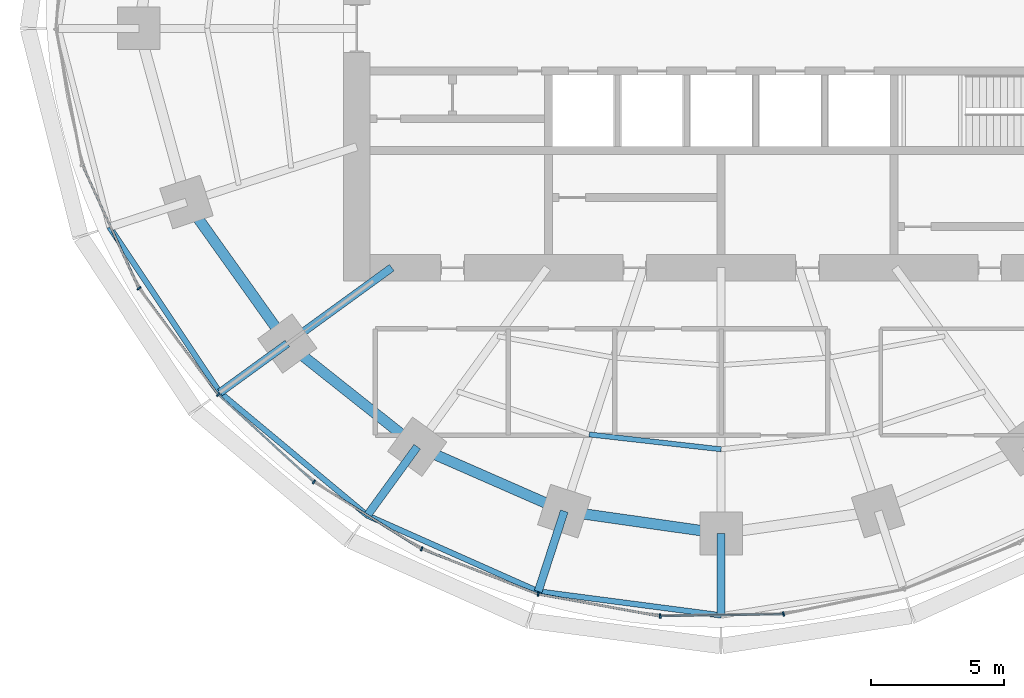
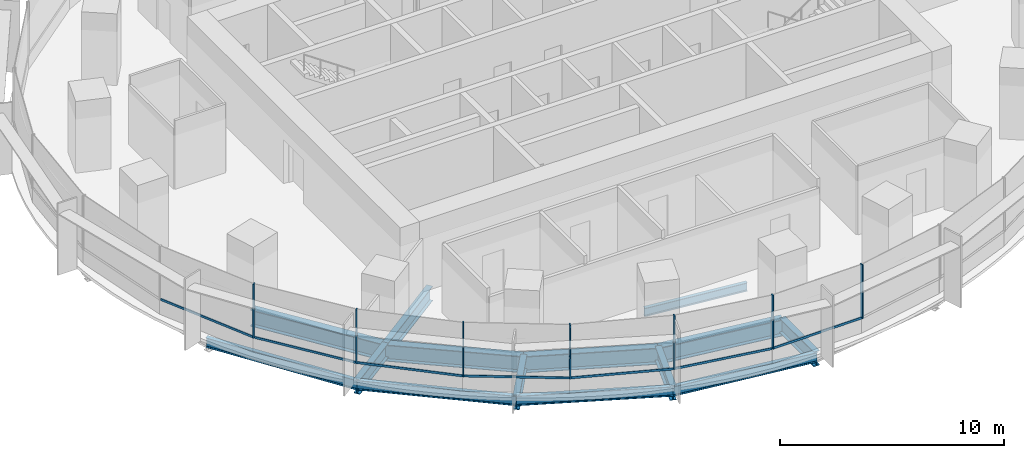
# One storey, part 2 of 14: 14 beams, 14 members, 2 elements without a shape of their own.
"""IFC4 building model written with IfcOpenShell, lengths in metres."""

from ifc_helpers import new_model, si_unit, direction, frame, origin, origin_2d, place, context, subcontext, project, spatial, rectangle, i_section, extrude, material, material_profile, profile_set, type_object, element, aggregate, save


model = new_model("IFC4")

# Units and contexts
model_context = context("Model", 3, precision=1e-05, world=origin(), true_north=direction((0.0, 1.0)))
body_context = subcontext(model_context, "Body", "Model", "MODEL_VIEW")
ifc_project = project(units=[si_unit("LENGTHUNIT", "METRE"), si_unit("AREAUNIT", "SQUARE_METRE"), si_unit("VOLUMEUNIT", "CUBIC_METRE"), si_unit("PLANEANGLEUNIT", "RADIAN"), si_unit("MASSUNIT", "GRAM", prefix="KILO")], contexts=[model_context])

# Site, building, storey
site_placement = place(None, origin())
site = spatial("IfcSite", under=ifc_project, at=site_placement, CompositionType="ELEMENT")
building_placement = place(site_placement, origin())
building = spatial("IfcBuilding", under=site, at=building_placement, Name="Marramba Exchange Tower", CompositionType="ELEMENT")
storey_placement = place(building_placement, frame((0.0, 0.0, 135.300048828125)))
storey = spatial("IfcBuildingStorey", under=building, at=storey_placement, Name="L32", CompositionType="ELEMENT", Elevation=135.300048828125)

# Beams
ifc_material_1 = material(Name="Steel AS/NZS 3679.2 grade 300", Category="steel")
ifc_material_profile_1 = material_profile(ifc_material_1, i_section(OverallWidth=0.300048828125, OverallDepth=0.800048828125, WebThickness=0.013916015625, FlangeThickness=0.031982421875, at=origin_2d()), Name="800WB192")
ifc_profile_set_1 = profile_set([ifc_material_profile_1], Name="Steel AS/NZS 3679.2 grade 300")
beam_type_1 = type_object("IfcBeamType", Name="Cantilever girder 800WB192", PredefinedType="BEAM", material=ifc_profile_set_1)
beam_1_placement = place(storey_placement, frame((-16.3154296875, -11.853759765625, -0.56005859375), z_axis=(-0.809025813822, -0.587773113173, 0.0), x_axis=(0.587773113173, -0.809025813822, 0.0)))
element("IfcBeam", 1, at=beam_1_placement, inside=storey, type_object=beam_type_1, Name="Cantilever girder L32 TC13", PredefinedType="BEAM", context=body_context, shape_type="SweptSolid", body=[
    extrude(i_section(OverallWidth=0.300048828125, OverallDepth=0.800048828125, WebThickness=0.013916015625, FlangeThickness=0.031982421875, at=origin_2d()), origin(), (0.0, 0.0, 1.0), 3.132568359375),
])
beam_2_placement = place(storey_placement, frame((-11.430419921875, -15.732666015625, -0.56005859375), z_axis=(-0.587767308424, -0.809030031054, 0.0), x_axis=(0.809030031054, -0.587767308424, 0.0)))
element("IfcBeam", 2, at=beam_2_placement, inside=storey, type_object=beam_type_1, Name="Cantilever girder L32 TC14", PredefinedType="BEAM", context=body_context, shape_type="SweptSolid", body=[
    extrude(i_section(OverallWidth=0.300048828125, OverallDepth=0.800048828125, WebThickness=0.013916015625, FlangeThickness=0.031982421875, at=origin_2d()), origin(), (0.0, 0.0, 1.0), 3.195556640625),
])
beam_3_placement = place(storey_placement, frame((-5.899658203125, -18.156982421875, -0.56005859375), z_axis=(-0.309018232614, -0.951056113966, 0.0), x_axis=(0.951056113966, -0.309018232614, 0.0)))
element("IfcBeam", 3, at=beam_3_placement, inside=storey, type_object=beam_type_1, Name="Cantilever girder L32 TC15", PredefinedType="BEAM", context=body_context, shape_type="SweptSolid", body=[
    extrude(i_section(OverallWidth=0.300048828125, OverallDepth=0.800048828125, WebThickness=0.013916015625, FlangeThickness=0.031982421875, at=origin_2d()), origin(), (0.0, 0.0, 1.0), 3.173583984375),
])
beam_4_placement = place(storey_placement, frame((0.0, -18.99609375, -0.56005859375), z_axis=(0.0, -1.0, 0.0), x_axis=(1.0, 0.0, 0.0)))
element("IfcBeam", 4, at=beam_4_placement, inside=storey, type_object=beam_type_1, Name="Cantilever girder L32 TC16", PredefinedType="BEAM", context=body_context, shape_type="SweptSolid", body=[
    extrude(i_section(OverallWidth=0.300048828125, OverallDepth=0.800048828125, WebThickness=0.013916015625, FlangeThickness=0.031982421875, at=origin_2d()), origin(), (0.0, 0.0, 1.0), 3.080810546875),
])
ifc_material_2 = material(Name="Steel AS/NZS 3679.1 grade 300", Category="steel")
ifc_material_profile_2 = material_profile(ifc_material_2, i_section(OverallWidth=0.18994140625, OverallDepth=0.4541015625, WebThickness=0.008544921875, FlangeThickness=0.0126953125, FilletRadius=0.011474609375, at=origin_2d()), Name="460UB67.1")
ifc_profile_set_2 = profile_set([ifc_material_profile_2], Name="Steel AS/NZS 3679.1 grade 300")
beam_type_2 = type_object("IfcBeamType", Name="Floor joist 460UB67.1", PredefinedType="JOIST", material=ifc_profile_set_2)
beam_5_placement = place(storey_placement, frame((-4.9619140625, -15.271484375, -0.386962890625), z_axis=(0.993712018573, -0.111966174106, 0.0), x_axis=(0.111966174106, 0.993712018573, 0.0)))
element("IfcBeam", 5, at=beam_5_placement, inside=storey, type_object=beam_type_2, Name="Joist L32 bay 15 row 2", PredefinedType="JOIST", context=body_context, shape_type="SweptSolid", body=[
    extrude(i_section(OverallWidth=0.18994140625, OverallDepth=0.4541015625, WebThickness=0.008544921875, FlangeThickness=0.0126953125, FilletRadius=0.011474609375, at=origin_2d()), origin(), (0.0, 0.0, 1.0), 4.993408203125),
])

# Curtain wall, members
ifc_material_3 = material(Name="Aluminium framing, bronze anodised", Category="aluminium")
curtain_wall_type = type_object("IfcCurtainWallType", Name="Office ribbon curtain wall", PredefinedType="USERDEFINED", material=ifc_material_3)
curtain_wall_1_placement = place(storey_placement, origin())
curtain_wall_1 = element("IfcCurtainWall", 6, at=curtain_wall_1_placement, inside=storey, type_object=curtain_wall_type, Name="Curtain wall CW4 L32 F16-F20", ObjectType="RIBBON CURTAIN WALL", PredefinedType="USERDEFINED")
ifc_material_4 = material(Name="Aluminium mullion, bronze anodised", Category="aluminium")
ifc_material_profile_3 = material_profile(ifc_material_4, rectangle(XDim=0.159912109375, YDim=0.06005859375, at=origin_2d()), Name="CW4 mullion 60x160")
ifc_profile_set_3 = profile_set([ifc_material_profile_3], Name="Aluminium mullion, bronze anodised")
member_type_1 = type_object("IfcMemberType", Name="Office ribbon curtain wall mullion", PredefinedType="MULLION", material=ifc_profile_set_3)
member_1_placement = place(storey_placement, frame((-21.891357421875, -9.778564453125, 0.800048828125), z_axis=(0.0, 0.0, 1.0), x_axis=(0.802014400683, 0.597304697033, 0.0)))
member_1 = element("IfcMember", 7, at=member_1_placement, type_object=member_type_1, Name="CW4 mullion 1", PredefinedType="MULLION", context=body_context, shape_type="SweptSolid", body=[
    extrude(rectangle(XDim=0.159912109375, YDim=0.06005859375, at=origin_2d()), origin(), (0.0, 0.0, 1.0), 2.93994140625),
])
member_2_placement = place(storey_placement, frame((-18.90869140625, -13.774169921875, 0.800048828125), z_axis=(0.0, 0.0, 1.0), x_axis=(0.674995455115, 0.737821886077, 0.0)))
member_2 = element("IfcMember", 8, at=member_2_placement, type_object=member_type_1, Name="CW4 mullion 1", PredefinedType="MULLION", context=body_context, shape_type="SweptSolid", body=[
    extrude(rectangle(XDim=0.159912109375, YDim=0.06005859375, at=origin_2d()), origin(), (0.0, 0.0, 1.0), 2.93994140625),
])
member_3_placement = place(storey_placement, frame((-15.315673828125, -17.053955078125, 0.800048828125), z_axis=(0.0, 0.0, 1.0), x_axis=(0.52942844364, 0.84835459748, 0.0)))
member_3 = element("IfcMember", 9, at=member_3_placement, type_object=member_type_1, Name="CW4 mullion 1", PredefinedType="MULLION", context=body_context, shape_type="SweptSolid", body=[
    extrude(rectangle(XDim=0.159912109375, YDim=0.06005859375, at=origin_2d()), origin(), (0.0, 0.0, 1.0), 2.93994140625),
])

curtain_wall_2_placement = place(storey_placement, origin())
curtain_wall_2 = element("IfcCurtainWall", 10, at=curtain_wall_2_placement, inside=storey, type_object=curtain_wall_type, Name="Curtain wall CW4 L32 F21-F25", ObjectType="RIBBON CURTAIN WALL", PredefinedType="USERDEFINED")
member_4_placement = place(storey_placement, frame((-11.266845703125, -19.573974609375, 0.800048828125), z_axis=(0.0, 0.0, 1.0), x_axis=(0.36292490603, 0.931818390344, 0.0)))
member_4 = element("IfcMember", 11, at=member_4_placement, type_object=member_type_1, Name="CW4 mullion 1", PredefinedType="MULLION", context=body_context, shape_type="SweptSolid", body=[
    extrude(rectangle(XDim=0.159912109375, YDim=0.06005859375, at=origin_2d()), origin(), (0.0, 0.0, 1.0), 2.93994140625),
])
member_5_placement = place(storey_placement, frame((-6.881591796875, -21.27587890625, 0.800048828125), z_axis=(0.0, 0.0, 1.0), x_axis=(0.177992379115, 0.984031865834, 0.0)))
member_5 = element("IfcMember", 12, at=member_5_placement, type_object=member_type_1, Name="CW4 mullion 1", PredefinedType="MULLION", context=body_context, shape_type="SweptSolid", body=[
    extrude(rectangle(XDim=0.159912109375, YDim=0.06005859375, at=origin_2d()), origin(), (0.0, 0.0, 1.0), 2.93994140625),
])
member_6_placement = place(storey_placement, frame((-2.292724609375, -22.099853515625, 0.800048828125), z_axis=(0.0, 0.0, 1.0), x_axis=(-0.015178646521, 0.999884797709, 0.0)))
member_6 = element("IfcMember", 13, at=member_6_placement, type_object=member_type_1, Name="CW4 mullion 1", PredefinedType="MULLION", context=body_context, shape_type="SweptSolid", body=[
    extrude(rectangle(XDim=0.159912109375, YDim=0.06005859375, at=origin_2d()), origin(), (0.0, 0.0, 1.0), 2.93994140625),
])
member_7_placement = place(storey_placement, frame((2.3447265625, -22.02392578125, 0.800048828125), z_axis=(0.0, 0.0, 1.0), x_axis=(-0.202364850159, 0.979310199794, 0.0)))
member_7 = element("IfcMember", 14, at=member_7_placement, type_object=member_type_1, Name="CW4 mullion 1", PredefinedType="MULLION", context=body_context, shape_type="SweptSolid", body=[
    extrude(rectangle(XDim=0.159912109375, YDim=0.06005859375, at=origin_2d()), origin(), (0.0, 0.0, 1.0), 2.93994140625),
])

# Member
ifc_material_5 = material(Name="Aluminium transom, bronze anodised", Category="aluminium")
ifc_material_profile_4 = material_profile(ifc_material_5, rectangle(XDim=0.06005859375, YDim=0.1201171875, at=origin_2d()), Name="CW4 transom 60x120")
ifc_profile_set_4 = profile_set([ifc_material_profile_4], Name="Aluminium transom, bronze anodised")
member_type_2 = type_object("IfcMemberType", Name="Office ribbon curtain wall transom", PredefinedType="USERDEFINED", material=ifc_profile_set_4)
member_8_placement = place(storey_placement, frame((-24.013671875, -5.1640625, 0.829833984375), z_axis=(0.416732948599, -0.909028959688, 0.0), x_axis=(0.909028959688, 0.416732948599, 0.0)))
member_8 = element("IfcMember", 15, at=member_8_placement, type_object=member_type_2, Name="CW4 sill transom", ObjectType="TRANSOM", PredefinedType="USERDEFINED", context=body_context, shape_type="SweptSolid", body=[
    extrude(rectangle(XDim=0.06005859375, YDim=0.1201171875, at=origin_2d()), origin(), (0.0, 0.0, 1.0), 5.050048828125),
])

member_9_placement = place(storey_placement, frame((-21.873291015625, -9.802734375, 0.829833984375), z_axis=(0.597300736643, -0.80201735019, 0.0), x_axis=(0.80201735019, 0.597300736643, 0.0)))
member_9 = element("IfcMember", 16, at=member_9_placement, type_object=member_type_2, Name="CW4 sill transom", ObjectType="TRANSOM", PredefinedType="USERDEFINED", context=body_context, shape_type="SweptSolid", body=[
    extrude(rectangle(XDim=0.06005859375, YDim=0.1201171875, at=origin_2d()), origin(), (0.0, 0.0, 1.0), 4.926513671875),
])

member_10_placement = place(storey_placement, frame((-18.886474609375, -13.79443359375, 0.829833984375), z_axis=(0.737807565469, -0.675011108306, 0.0), x_axis=(0.675011108306, 0.737807565469, 0.0)))
member_10 = element("IfcMember", 17, at=member_10_placement, type_object=member_type_2, Name="CW4 sill transom", ObjectType="TRANSOM", PredefinedType="USERDEFINED", context=body_context, shape_type="SweptSolid", body=[
    extrude(rectangle(XDim=0.06005859375, YDim=0.1201171875, at=origin_2d()), origin(), (0.0, 0.0, 1.0), 4.805419921875),
])

member_11_placement = place(storey_placement, frame((-15.2900390625, -17.06982421875, 0.829833984375), z_axis=(0.848373790728, -0.529397687193, 0.0), x_axis=(0.529397687193, 0.848373790728, 0.0)))
member_11 = element("IfcMember", 18, at=member_11_placement, type_object=member_type_2, Name="CW4 sill transom", ObjectType="TRANSOM", PredefinedType="USERDEFINED", context=body_context, shape_type="SweptSolid", body=[
    extrude(rectangle(XDim=0.06005859375, YDim=0.1201171875, at=origin_2d()), origin(), (0.0, 0.0, 1.0), 4.70947265625),
])

aggregate(curtain_wall_1, [member_8, member_1, member_9, member_2, member_10, member_3, member_11])

member_12_placement = place(storey_placement, frame((-11.23876953125, -19.5849609375, 0.829833984375), z_axis=(0.931817106708, -0.362928201778, 0.0), x_axis=(0.362928201778, 0.931817106708, 0.0)))
member_12 = element("IfcMember", 19, at=member_12_placement, type_object=member_type_2, Name="CW4 sill transom", ObjectType="TRANSOM", PredefinedType="USERDEFINED", context=body_context, shape_type="SweptSolid", body=[
    extrude(rectangle(XDim=0.06005859375, YDim=0.1201171875, at=origin_2d()), origin(), (0.0, 0.0, 1.0), 4.644287109375),
])

member_13_placement = place(storey_placement, frame((-6.85205078125, -21.281005859375, 0.829833984375), z_axis=(0.98402906811, -0.178007845654, 0.0), x_axis=(0.178007845654, 0.98402906811, 0.0)))
member_13 = element("IfcMember", 20, at=member_13_placement, type_object=member_type_2, Name="CW4 sill transom", ObjectType="TRANSOM", PredefinedType="USERDEFINED", context=body_context, shape_type="SweptSolid", body=[
    extrude(rectangle(XDim=0.06005859375, YDim=0.1201171875, at=origin_2d()), origin(), (0.0, 0.0, 1.0), 4.602783203125),
])

member_14_placement = place(storey_placement, frame((-2.262939453125, -22.099365234375, 0.829833984375), z_axis=(0.999885345665, 0.015142507235, 0.0), x_axis=(-0.015142507235, 0.999885345665, 0.0)))
member_14 = element("IfcMember", 21, at=member_14_placement, type_object=member_type_2, Name="CW4 sill transom", ObjectType="TRANSOM", PredefinedType="USERDEFINED", context=body_context, shape_type="SweptSolid", body=[
    extrude(rectangle(XDim=0.06005859375, YDim=0.1201171875, at=origin_2d()), origin(), (0.0, 0.0, 1.0), 4.578857421875),
])

aggregate(curtain_wall_2, [member_4, member_12, member_5, member_13, member_6, member_14, member_7])

# Beams
ifc_material_profile_5 = material_profile(ifc_material_1, i_section(OverallWidth=0.300048828125, OverallDepth=0.800048828125, WebThickness=0.013916015625, FlangeThickness=0.031982421875, at=origin_2d()), Name="800WB192")
ifc_profile_set_5 = profile_set([ifc_material_profile_5], Name="Steel AS/NZS 3679.2 grade 300")
beam_type_3 = type_object("IfcBeamType", Name="Radial girder 800WB192", PredefinedType="BEAM", material=ifc_profile_set_5)
beam_6_placement = place(storey_placement, frame((-12.387451171875, -9.0, -0.56005859375), z_axis=(-0.809025189606, -0.58777397236, 0.0), x_axis=(0.58777397236, -0.809025189606, 0.0)))
element("IfcBeam", 22, at=beam_6_placement, inside=storey, type_object=beam_type_3, Name="Radial girder L32 TC13", PredefinedType="BEAM", context=body_context, shape_type="SweptSolid", body=[
    extrude(i_section(OverallWidth=0.300048828125, OverallDepth=0.800048828125, WebThickness=0.013916015625, FlangeThickness=0.031982421875, at=origin_2d()), origin(), (0.0, 0.0, 1.0), 4.855224609375),
])
ifc_material_profile_6 = material_profile(ifc_material_1, i_section(OverallWidth=0.39990234375, OverallDepth=0.89990234375, WebThickness=0.01611328125, FlangeThickness=0.031982421875, at=origin_2d()), Name="900WB282")
ifc_profile_set_6 = profile_set([ifc_material_profile_6], Name="Steel AS/NZS 3679.2 grade 300")
beam_type_4 = type_object("IfcBeamType", Name="Ring beam 900WB282", PredefinedType="SPANDREL", material=ifc_profile_set_6)
beam_7_placement = place(storey_placement, frame((-20.109375, -6.533935546875, -0.610107421875), z_axis=(0.580637181111, -0.814162430914, 0.0), x_axis=(0.814162430914, 0.580637181111, 0.0)))
element("IfcBeam", 23, at=beam_7_placement, inside=storey, type_object=beam_type_4, Name="Ring beam L32 TC12-TC13", PredefinedType="SPANDREL", context=body_context, shape_type="SweptSolid", body=[
    extrude(i_section(OverallWidth=0.39990234375, OverallDepth=0.89990234375, WebThickness=0.01611328125, FlangeThickness=0.031982421875, at=origin_2d()), origin(), (0.0, 0.0, 1.0), 6.5341796875),
])
beam_8_placement = place(storey_placement, frame((-16.3154296875, -11.853759765625, -0.610107421875), z_axis=(0.783139438128, -0.621846138887, 0.0), x_axis=(0.621846138887, 0.783139438128, 0.0)))
element("IfcBeam", 24, at=beam_8_placement, inside=storey, type_object=beam_type_4, Name="Ring beam L32 TC13-TC14", PredefinedType="SPANDREL", context=body_context, shape_type="SweptSolid", body=[
    extrude(i_section(OverallWidth=0.39990234375, OverallDepth=0.89990234375, WebThickness=0.01611328125, FlangeThickness=0.031982421875, at=origin_2d()), origin(), (0.0, 0.0, 1.0), 6.23779296875),
])
beam_9_placement = place(storey_placement, frame((-11.430419921875, -15.732666015625, -0.610107421875), z_axis=(0.915876892158, -0.4014592363, 0.0), x_axis=(0.4014592363, 0.915876892158, 0.0)))
element("IfcBeam", 25, at=beam_9_placement, inside=storey, type_object=beam_type_4, Name="Ring beam L32 TC14-TC15", PredefinedType="SPANDREL", context=body_context, shape_type="SweptSolid", body=[
    extrude(i_section(OverallWidth=0.39990234375, OverallDepth=0.89990234375, WebThickness=0.01611328125, FlangeThickness=0.031982421875, at=origin_2d()), origin(), (0.0, 0.0, 1.0), 6.038818359375),
])
beam_10_placement = place(storey_placement, frame((-5.899658203125, -18.156982421875, -0.610107421875), z_axis=(0.990036163016, -0.140813337152, 0.0), x_axis=(0.140813337152, 0.990036163016, 0.0)))
element("IfcBeam", 26, at=beam_10_placement, inside=storey, type_object=beam_type_4, Name="Ring beam L32 TC15-TC16", PredefinedType="SPANDREL", context=body_context, shape_type="SweptSolid", body=[
    extrude(i_section(OverallWidth=0.39990234375, OverallDepth=0.89990234375, WebThickness=0.01611328125, FlangeThickness=0.031982421875, at=origin_2d()), origin(), (0.0, 0.0, 1.0), 5.958984375),
])
ifc_material_profile_7 = material_profile(ifc_material_2, i_section(OverallWidth=0.208984375, OverallDepth=0.528076171875, WebThickness=0.009521484375, FlangeThickness=0.01318359375, FilletRadius=0.013916015625, at=origin_2d()), Name="530UB82.0")
ifc_profile_set_7 = profile_set([ifc_material_profile_7], Name="Steel AS/NZS 3679.1 grade 300")
beam_type_5 = type_object("IfcBeamType", Name="Slab edge beam 530UB82.0", PredefinedType="SPANDREL", material=ifc_profile_set_7)
beam_11_placement = place(storey_placement, frame((-23.00341796875, -7.47412109375, -0.424072265625), z_axis=(0.555280023791, -0.831663450669, 0.0), x_axis=(0.831663450669, 0.555280023791, 0.0)))
element("IfcBeam", 27, at=beam_11_placement, inside=storey, type_object=beam_type_5, Name="Slab edge beam L32 TC12-TC13", PredefinedType="SPANDREL", context=body_context, shape_type="SweptSolid", body=[
    extrude(i_section(OverallWidth=0.208984375, OverallDepth=0.528076171875, WebThickness=0.009521484375, FlangeThickness=0.01318359375, FilletRadius=0.013916015625, at=origin_2d()), origin(), (0.0, 0.0, 1.0), 7.480224609375),
])
beam_12_placement = place(storey_placement, frame((-18.849853515625, -13.695068359375, -0.424072265625), z_axis=(0.767874532322, -0.640600267415, 0.0), x_axis=(0.640600267415, 0.767874532322, 0.0)))
element("IfcBeam", 28, at=beam_12_placement, inside=storey, type_object=beam_type_5, Name="Slab edge beam L32 TC13-TC14", PredefinedType="SPANDREL", context=body_context, shape_type="SweptSolid", body=[
    extrude(i_section(OverallWidth=0.208984375, OverallDepth=0.528076171875, WebThickness=0.009521484375, FlangeThickness=0.01318359375, FilletRadius=0.013916015625, at=origin_2d()), origin(), (0.0, 0.0, 1.0), 7.21630859375),
])
beam_13_placement = place(storey_placement, frame((-13.30859375, -18.31787109375, -0.424072265625), z_axis=(0.913788648873, -0.406189986571, 0.0), x_axis=(0.406189986571, 0.913788648873, 0.0)))
element("IfcBeam", 29, at=beam_13_placement, inside=storey, type_object=beam_type_5, Name="Slab edge beam L32 TC14-TC15", PredefinedType="SPANDREL", context=body_context, shape_type="SweptSolid", body=[
    extrude(i_section(OverallWidth=0.208984375, OverallDepth=0.528076171875, WebThickness=0.009521484375, FlangeThickness=0.01318359375, FilletRadius=0.013916015625, at=origin_2d()), origin(), (0.0, 0.0, 1.0), 7.03466796875),
])
beam_14_placement = place(storey_placement, frame((-6.88037109375, -21.17529296875, -0.424072265625), z_axis=(0.991523133546, -0.129930272237, 0.0), x_axis=(0.129930272237, 0.991523133546, 0.0)))
element("IfcBeam", 30, at=beam_14_placement, inside=storey, type_object=beam_type_5, Name="Slab edge beam L32 TC15-TC16", PredefinedType="SPANDREL", context=body_context, shape_type="SweptSolid", body=[
    extrude(i_section(OverallWidth=0.208984375, OverallDepth=0.528076171875, WebThickness=0.009521484375, FlangeThickness=0.01318359375, FilletRadius=0.013916015625, at=origin_2d()), origin(), (0.0, 0.0, 1.0), 6.939208984375),
])

save(model, "model.ifc")
